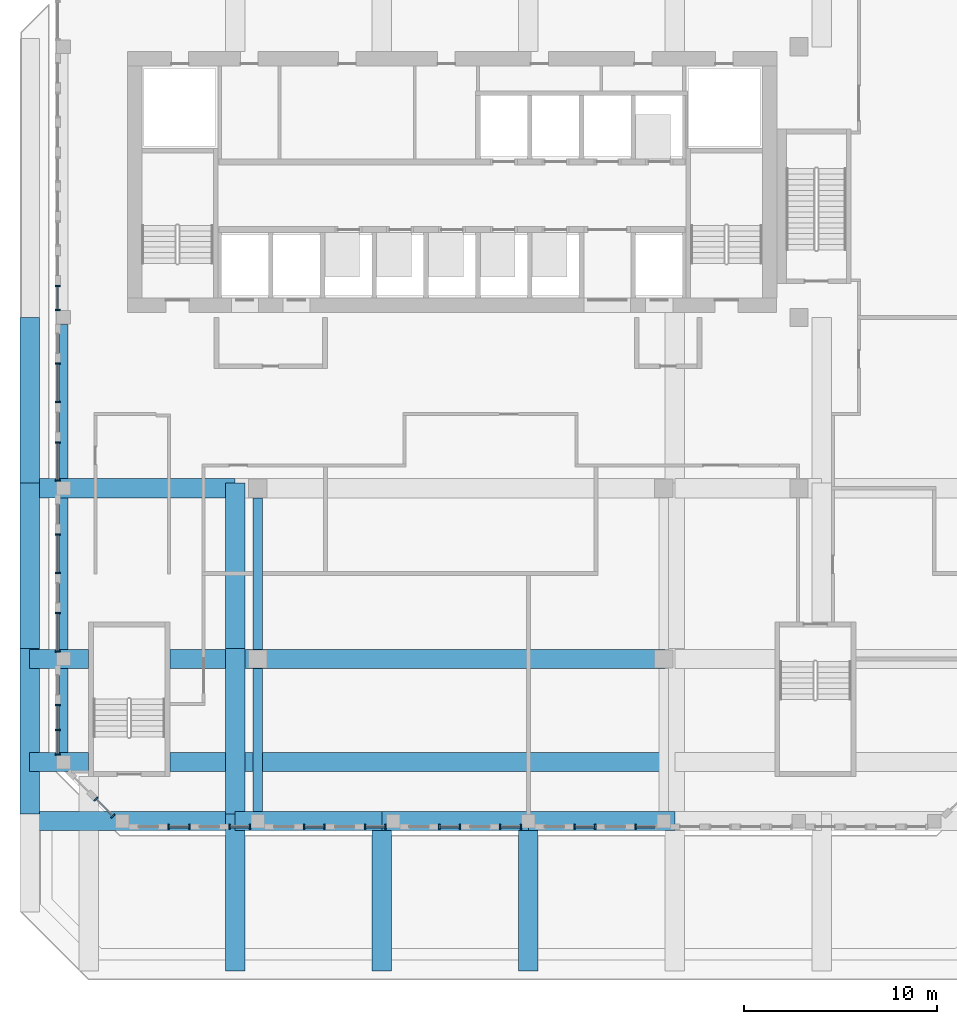
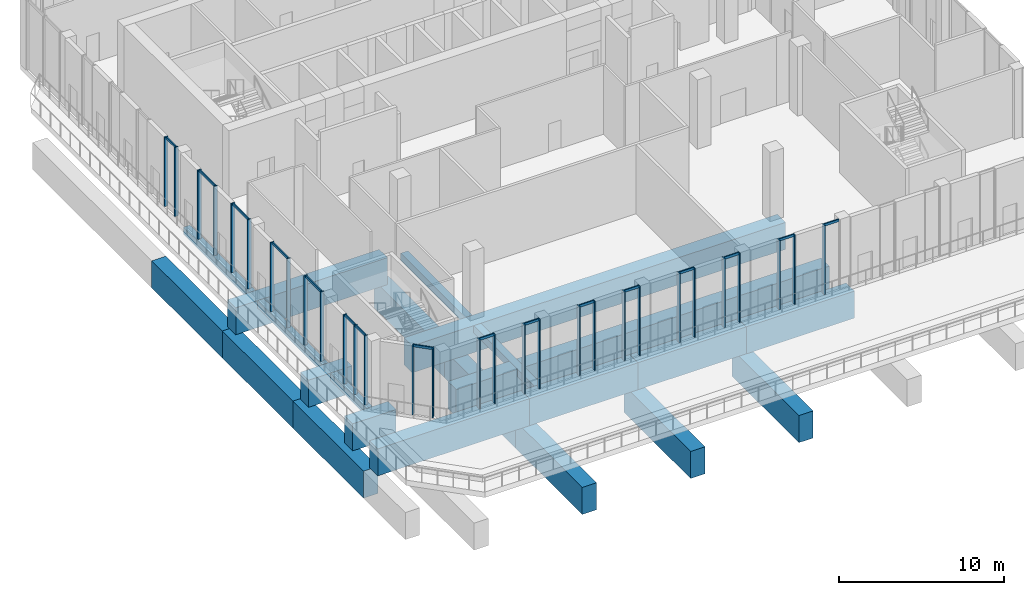
# One storey, part 2 of 18: 46 members, 22 beams, 15 elements without a shape of their own.
"""IFC4 building model written with IfcOpenShell, lengths in metres."""

from ifc_helpers import new_model, si_unit, direction, frame, origin, origin_2d, place, context, subcontext, project, spatial, rectangle, extrude, source, transform, mapped, material, material_profile, profile_set, type_object, element, aggregate, save


model = new_model("IFC4")

# Units and contexts
model_context = context("Model", 3, precision=1e-05, world=origin(), true_north=direction((0.0, 1.0)))
body_context = subcontext(model_context, "Body", "Model", "MODEL_VIEW")
ifc_project = project(units=[si_unit("LENGTHUNIT", "METRE"), si_unit("AREAUNIT", "SQUARE_METRE"), si_unit("VOLUMEUNIT", "CUBIC_METRE"), si_unit("PLANEANGLEUNIT", "RADIAN"), si_unit("MASSUNIT", "GRAM", prefix="KILO")], contexts=[model_context])

# Site, building, storey
site_placement = place(None, origin())
site = spatial("IfcSite", under=ifc_project, at=site_placement, CompositionType="ELEMENT")
building_placement = place(site_placement, origin())
building = spatial("IfcBuilding", under=site, at=building_placement, Name="Kilnfold Tower and Market Hall", CompositionType="ELEMENT")
storey_placement = place(building_placement, frame((0.0, 0.0, 233.60009765625)))
storey = spatial("IfcBuildingStorey", under=building, at=storey_placement, Name="L56", CompositionType="ELEMENT", Elevation=233.60009765625)

# Beams
ifc_material_1 = material(Name="Concrete C60", Category="concrete")
ifc_material_profile_1 = material_profile(ifc_material_1, rectangle(XDim=1.0, YDim=2.0, at=origin_2d()), Name="RC 1000x2000")
ifc_profile_set_1 = profile_set([ifc_material_profile_1], Name="Concrete C60")
beam_type_1 = type_object("IfcBeamType", Name="TRANSFER GIRDER 1000X2000 C60", PredefinedType="BEAM", material=ifc_profile_set_1)
shared_shape_1 = source(origin(), body_context, "Body", "SweptSolid", [
    extrude(rectangle(XDim=1.0, YDim=2.0, at=origin_2d()), origin(), (0.0, 0.0, 1.0), 8.5625),
])
for number, where, z_axis, x_axis, name in (
    (1, (-20.800048828125, -17.6875, -3.400146484375), (0.0, 1.0, 0.0), (-1.0, 0.0, 0.0), "Beam TG2000-B7.2"),
    (2, (-20.800048828125, -9.125, -3.400146484375), (0.0, 1.0, 0.0), (-1.0, 0.0, 0.0), "Beam TG2000-B7.3"),
    (3, (-20.800048828125, -0.5625, -3.400146484375), (0.0, 1.0, 0.0), (-1.0, 0.0, 0.0), "Beam TG2000-B7.4"),
    (4, (-10.169921875, -17.6875, -3.400146484375), (0.0, 1.0, 0.0), (-1.0, 0.0, 0.0), "Beam TG2000-B7.8"),
    (5, (-10.169921875, -9.125, -3.400146484375), (0.0, 1.0, 0.0), (-1.0, 0.0, 0.0), "Beam TG2000-B7.9"),
):
    element("IfcBeam", number, at=place(storey_placement, frame(where, z_axis=z_axis, x_axis=x_axis)), inside=storey, type_object=beam_type_1, Name=name, PredefinedType="BEAM", context=body_context, shape_type="MappedRepresentation", body=[
        mapped(shared_shape_1, transform((0.0, 0.0, 0.0))),
    ])
shared_shape_2 = source(origin(), body_context, "Body", "SweptSolid", [
    extrude(rectangle(XDim=1.0, YDim=2.0, at=origin_2d()), origin(), (0.0, 0.0, 1.0), 8.112548828125),
])
for number, where, z_axis, x_axis, name in (
    (6, (-10.169921875, -25.800048828125, -3.400146484375), (0.0, 1.0, 0.0), (-1.0, 0.0, 0.0), "Beam TG2000-B7.7"),
    (7, (-2.580078125, -25.800048828125, -3.400146484375), (0.0, 1.0, 0.0), (-1.0, 0.0, 0.0), "Beam TG2000-B7.11"),
    (8, (5.0, -25.800048828125, -3.400146484375), (0.0, 1.0, 0.0), (-1.0, 0.0, 0.0), "Beam TG2000-B7.13"),
):
    element("IfcBeam", number, at=place(storey_placement, frame(where, z_axis=z_axis, x_axis=x_axis)), inside=storey, type_object=beam_type_1, Name=name, PredefinedType="BEAM", context=body_context, shape_type="MappedRepresentation", body=[
        mapped(shared_shape_2, transform((0.0, 0.0, 0.0))),
    ])
shared_shape_3 = source(origin(), body_context, "Body", "SweptSolid", [
    extrude(rectangle(XDim=1.0, YDim=2.0, at=origin_2d()), origin(), (0.0, 0.0, 1.0), 10.630126953125),
])
for number, where, z_axis, x_axis, name in (
    (9, (-20.800048828125, -18.050048828125, -1.400146484375), (1.0, 0.0, 0.0), (0.0, 1.0, 0.0), "Beam TG2000-B7.29"),
    (10, (-20.800048828125, -0.830078125, -1.400146484375), (1.0, 0.0, 0.0), (0.0, 1.0, 0.0), "Beam TG2000-B7.32"),
):
    element("IfcBeam", number, at=place(storey_placement, frame(where, z_axis=z_axis, x_axis=x_axis)), inside=storey, type_object=beam_type_1, Name=name, PredefinedType="BEAM", context=body_context, shape_type="MappedRepresentation", body=[
        mapped(shared_shape_3, transform((0.0, 0.0, 0.0))),
    ])
shared_shape_4 = source(origin(), body_context, "Body", "SweptSolid", [
    extrude(rectangle(XDim=1.0, YDim=2.0, at=origin_2d()), origin(), (0.0, 0.0, 1.0), 3.050048828125),
])
for number, where, z_axis, x_axis, name in (
    (11, (-20.800048828125, -15.0, -1.400146484375), (1.0, 0.0, 0.0), (0.0, 1.0, 0.0), "Beam TG2000-B7.30"),
    (12, (-20.800048828125, -9.669921875, -1.400146484375), (1.0, 0.0, 0.0), (0.0, 1.0, 0.0), "Beam TG2000-B7.31"),
):
    element("IfcBeam", number, at=place(storey_placement, frame(where, z_axis=z_axis, x_axis=x_axis)), inside=storey, type_object=beam_type_1, Name=name, PredefinedType="BEAM", context=body_context, shape_type="MappedRepresentation", body=[
        mapped(shared_shape_4, transform((0.0, 0.0, 0.0))),
    ])
shared_shape_5 = source(origin(), body_context, "Body", "SweptSolid", [
    extrude(rectangle(XDim=1.0, YDim=2.0, at=origin_2d()), origin(), (0.0, 0.0, 1.0), 26.130126953125),
])
for number, where, z_axis, x_axis, name in (
    (13, (-13.550048828125, -15.0, -1.400146484375), (1.0, 0.0, 0.0), (0.0, 1.0, 0.0), "Beam TG2000-B7.33"),
    (14, (-13.550048828125, -9.669921875, -1.400146484375), (1.0, 0.0, 0.0), (0.0, 1.0, 0.0), "Beam TG2000-B7.34"),
):
    element("IfcBeam", number, at=place(storey_placement, frame(where, z_axis=z_axis, x_axis=x_axis)), inside=storey, type_object=beam_type_1, Name=name, PredefinedType="BEAM", context=body_context, shape_type="MappedRepresentation", body=[
        mapped(shared_shape_5, transform((0.0, 0.0, 0.0))),
    ])
shared_shape_6 = source(origin(), body_context, "Body", "SweptSolid", [
    extrude(rectangle(XDim=1.0, YDim=2.0, at=origin_2d()), origin(), (0.0, 0.0, 1.0), 7.58984375),
])
beam_1_placement = place(storey_placement, frame((-10.169921875, -18.050048828125, -1.400146484375), z_axis=(1.0, 0.0, 0.0), x_axis=(0.0, 1.0, 0.0)))
element("IfcBeam", 15, at=beam_1_placement, inside=storey, type_object=beam_type_1, Name="Beam TG2000-B7.35", PredefinedType="BEAM", context=body_context, shape_type="MappedRepresentation", body=[
    mapped(shared_shape_6, transform((0.0, 0.0, 0.0))),
])
shared_shape_7 = source(origin(), body_context, "Body", "SweptSolid", [
    extrude(rectangle(XDim=1.0, YDim=2.0, at=origin_2d()), origin(), (0.0, 0.0, 1.0), 7.580078125),
])
for number, where, z_axis, x_axis, name in (
    (16, (-2.580078125, -18.050048828125, -1.400146484375), (1.0, 0.0, 0.0), (0.0, 1.0, 0.0), "Beam TG2000-B7.37"),
    (17, (5.0, -18.050048828125, -1.400146484375), (1.0, 0.0, 0.0), (0.0, 1.0, 0.0), "Beam TG2000-B7.38"),
):
    element("IfcBeam", number, at=place(storey_placement, frame(where, z_axis=z_axis, x_axis=x_axis)), inside=storey, type_object=beam_type_1, Name=name, PredefinedType="BEAM", context=body_context, shape_type="MappedRepresentation", body=[
        mapped(shared_shape_7, transform((0.0, 0.0, 0.0))),
    ])
ifc_material_2 = material(Name="Concrete C45", Category="concrete")
ifc_material_profile_2 = material_profile(ifc_material_2, rectangle(XDim=0.449951171875, YDim=0.550048828125, at=origin_2d()), Name="RC 450x550")
ifc_profile_set_2 = profile_set([ifc_material_profile_2], Name="Concrete C45")
beam_type_2 = type_object("IfcBeamType", Name="EDGE BEAM 450X550 C45", PredefinedType="BEAM", material=ifc_profile_set_2)
shared_shape_8 = source(origin(), body_context, "Body", "SweptSolid", [
    extrude(rectangle(XDim=0.449951171875, YDim=0.550048828125, at=origin_2d()), origin(), (0.0, 0.0, 1.0), 4.330078125),
])
beam_2_placement = place(storey_placement, frame((-19.050048828125, -14.5, -0.675048828125), z_axis=(0.0, 1.0, 0.0), x_axis=(-1.0, 0.0, 0.0)))
element("IfcBeam", 18, at=beam_2_placement, inside=storey, type_object=beam_type_2, Name="Beam EB550-B7.47", PredefinedType="BEAM", context=body_context, shape_type="MappedRepresentation", body=[
    mapped(shared_shape_8, transform((0.0, 0.0, 0.0))),
])
shared_shape_9 = source(origin(), body_context, "Body", "SweptSolid", [
    extrude(rectangle(XDim=0.449951171875, YDim=0.550048828125, at=origin_2d()), origin(), (0.0, 0.0, 1.0), 7.83984375),
])
beam_3_placement = place(storey_placement, frame((-19.050048828125, -9.169921875, -0.675048828125), z_axis=(0.0, 1.0, 0.0), x_axis=(-1.0, 0.0, 0.0)))
element("IfcBeam", 19, at=beam_3_placement, inside=storey, type_object=beam_type_2, Name="Beam EB550-B7.48", PredefinedType="BEAM", context=body_context, shape_type="MappedRepresentation", body=[
    mapped(shared_shape_9, transform((0.0, 0.0, 0.0))),
])
shared_shape_10 = source(origin(), body_context, "Body", "SweptSolid", [
    extrude(rectangle(XDim=0.449951171875, YDim=0.550048828125, at=origin_2d()), origin(), (0.0, 0.0, 1.0), 7.97998046875),
])
beam_4_placement = place(storey_placement, frame((-19.050048828125, -0.330078125, -0.675048828125), z_axis=(0.0, 1.0, 0.0), x_axis=(-1.0, 0.0, 0.0)))
element("IfcBeam", 20, at=beam_4_placement, inside=storey, type_object=beam_type_2, Name="Beam EB550-B7.49", PredefinedType="BEAM", context=body_context, shape_type="MappedRepresentation", body=[
    mapped(shared_shape_10, transform((0.0, 0.0, 0.0))),
])
ifc_material_3 = material(Name="Concrete C45", Category="concrete")
ifc_material_profile_3 = material_profile(ifc_material_3, rectangle(XDim=0.5, YDim=0.550048828125, at=origin_2d()), Name="RC 500x550")
ifc_profile_set_3 = profile_set([ifc_material_profile_3], Name="Concrete C45")
beam_type_3 = type_object("IfcBeamType", Name="BEAM 500X550 C45", PredefinedType="BEAM", material=ifc_profile_set_3)
shared_shape_11 = source(origin(), body_context, "Body", "SweptSolid", [
    extrude(rectangle(XDim=0.5, YDim=0.550048828125, at=origin_2d()), origin(), (0.0, 0.0, 1.0), 7.380126953125),
])
beam_5_placement = place(storey_placement, frame((-9.0, -17.550048828125, -0.675048828125), z_axis=(0.0, 1.0, 0.0), x_axis=(-1.0, 0.0, 0.0)))
element("IfcBeam", 21, at=beam_5_placement, inside=storey, type_object=beam_type_3, Name="Beam BB550-B7.51", PredefinedType="BEAM", context=body_context, shape_type="MappedRepresentation", body=[
    mapped(shared_shape_11, transform((0.0, 0.0, 0.0))),
])
shared_shape_12 = source(origin(), body_context, "Body", "SweptSolid", [
    extrude(rectangle(XDim=0.5, YDim=0.550048828125, at=origin_2d()), origin(), (0.0, 0.0, 1.0), 7.83984375),
])
beam_6_placement = place(storey_placement, frame((-9.0, -9.169921875, -0.675048828125), z_axis=(0.0, 1.0, 0.0), x_axis=(-1.0, 0.0, 0.0)))
element("IfcBeam", 22, at=beam_6_placement, inside=storey, type_object=beam_type_3, Name="Beam BB550-B7.52", PredefinedType="BEAM", context=body_context, shape_type="MappedRepresentation", body=[
    mapped(shared_shape_12, transform((0.0, 0.0, 0.0))),
])

# Curtain wall, members
ifc_material_4 = material(Name="Aluminium and double glazing", Category="aluminium")
curtain_wall_type = type_object("IfcCurtainWallType", Name="CW SKY LOBBY GLAZING", PredefinedType="NOTDEFINED", material=ifc_material_4)
curtain_wall_1_placement = place(storey_placement, origin())
curtain_wall_1 = element("IfcCurtainWall", 23, at=curtain_wall_1_placement, inside=storey, type_object=curtain_wall_type, Name="Curtain wall CW3 L56 S", PredefinedType="NOTDEFINED")
ifc_material_5 = material(Name="Aluminium", Category="aluminium")
ifc_material_profile_4 = material_profile(ifc_material_5, rectangle(XDim=0.080078125, YDim=0.25, at=origin_2d()), Name="MULLION 80x250")
ifc_profile_set_4 = profile_set([ifc_material_profile_4], Name="Aluminium")
member_type_1 = type_object("IfcMemberType", Name="MULLION 80X250", PredefinedType="MULLION", material=ifc_profile_set_4)
shared_shape_13 = source(origin(), body_context, "Body", "SweptSolid", [
    extrude(rectangle(XDim=0.080078125, YDim=0.25, at=origin_2d()), origin(), (0.0, 0.0, 1.0), 5.119873046875),
])
member_1_placement = place(storey_placement, frame((-13.610107421875, -18.35009765625, 0.0), z_axis=(0.0, 0.0, 1.0), x_axis=(1.0, 0.0, 0.0)))
member_1 = element("IfcMember", 24, at=member_1_placement, type_object=member_type_1, Name="CW3 mullion 1", PredefinedType="MULLION", context=body_context, shape_type="MappedRepresentation", body=[
    mapped(shared_shape_13, transform((0.0, 0.0, 0.0))),
])
member_2_placement = place(storey_placement, frame((-12.5400390625, -18.35009765625, 0.0), z_axis=(0.0, 0.0, 1.0), x_axis=(1.0, 0.0, 0.0)))
member_2 = element("IfcMember", 25, at=member_2_placement, type_object=member_type_1, Name="CW3 mullion 2", PredefinedType="MULLION", context=body_context, shape_type="MappedRepresentation", body=[
    mapped(shared_shape_13, transform((0.0, 0.0, 0.0))),
])

curtain_wall_2_placement = place(storey_placement, origin())
curtain_wall_2 = element("IfcCurtainWall", 26, at=curtain_wall_2_placement, inside=storey, type_object=curtain_wall_type, Name="Curtain wall CW3 L56 S", PredefinedType="NOTDEFINED")
member_3_placement = place(storey_placement, frame((-10.4599609375, -18.35009765625, 0.0), z_axis=(0.0, 0.0, 1.0), x_axis=(1.0, 0.0, 0.0)))
member_3 = element("IfcMember", 27, at=member_3_placement, type_object=member_type_1, Name="CW3 mullion 1", PredefinedType="MULLION", context=body_context, shape_type="MappedRepresentation", body=[
    mapped(shared_shape_13, transform((0.0, 0.0, 0.0))),
])
member_4_placement = place(storey_placement, frame((-9.389892578125, -18.35009765625, 0.0), z_axis=(0.0, 0.0, 1.0), x_axis=(1.0, 0.0, 0.0)))
member_4 = element("IfcMember", 28, at=member_4_placement, type_object=member_type_1, Name="CW3 mullion 2", PredefinedType="MULLION", context=body_context, shape_type="MappedRepresentation", body=[
    mapped(shared_shape_13, transform((0.0, 0.0, 0.0))),
])

curtain_wall_3_placement = place(storey_placement, origin())
curtain_wall_3 = element("IfcCurtainWall", 29, at=curtain_wall_3_placement, inside=storey, type_object=curtain_wall_type, Name="Curtain wall CW3 L56 S", PredefinedType="NOTDEFINED")
member_5_placement = place(storey_placement, frame((-6.610107421875, -18.35009765625, 0.0), z_axis=(0.0, 0.0, 1.0), x_axis=(1.0, 0.0, 0.0)))
member_5 = element("IfcMember", 30, at=member_5_placement, type_object=member_type_1, Name="CW3 mullion 1", PredefinedType="MULLION", context=body_context, shape_type="MappedRepresentation", body=[
    mapped(shared_shape_13, transform((0.0, 0.0, 0.0))),
])
member_6_placement = place(storey_placement, frame((-5.5400390625, -18.35009765625, 0.0), z_axis=(0.0, 0.0, 1.0), x_axis=(1.0, 0.0, 0.0)))
member_6 = element("IfcMember", 31, at=member_6_placement, type_object=member_type_1, Name="CW3 mullion 2", PredefinedType="MULLION", context=body_context, shape_type="MappedRepresentation", body=[
    mapped(shared_shape_13, transform((0.0, 0.0, 0.0))),
])

curtain_wall_4_placement = place(storey_placement, origin())
curtain_wall_4 = element("IfcCurtainWall", 32, at=curtain_wall_4_placement, inside=storey, type_object=curtain_wall_type, Name="Curtain wall CW3 L56 S", PredefinedType="NOTDEFINED")
member_7_placement = place(storey_placement, frame((-3.4599609375, -18.35009765625, 0.0), z_axis=(0.0, 0.0, 1.0), x_axis=(1.0, 0.0, 0.0)))
member_7 = element("IfcMember", 33, at=member_7_placement, type_object=member_type_1, Name="CW3 mullion 1", PredefinedType="MULLION", context=body_context, shape_type="MappedRepresentation", body=[
    mapped(shared_shape_13, transform((0.0, 0.0, 0.0))),
])
member_8_placement = place(storey_placement, frame((-2.389892578125, -18.35009765625, 0.0), z_axis=(0.0, 0.0, 1.0), x_axis=(1.0, 0.0, 0.0)))
member_8 = element("IfcMember", 34, at=member_8_placement, type_object=member_type_1, Name="CW3 mullion 2", PredefinedType="MULLION", context=body_context, shape_type="MappedRepresentation", body=[
    mapped(shared_shape_13, transform((0.0, 0.0, 0.0))),
])

curtain_wall_5_placement = place(storey_placement, origin())
curtain_wall_5 = element("IfcCurtainWall", 35, at=curtain_wall_5_placement, inside=storey, type_object=curtain_wall_type, Name="Curtain wall CW3 L56 S", PredefinedType="NOTDEFINED")
member_9_placement = place(storey_placement, frame((0.389892578125, -18.35009765625, 0.0), z_axis=(0.0, 0.0, 1.0), x_axis=(1.0, 0.0, 0.0)))
member_9 = element("IfcMember", 36, at=member_9_placement, type_object=member_type_1, Name="CW3 mullion 1", PredefinedType="MULLION", context=body_context, shape_type="MappedRepresentation", body=[
    mapped(shared_shape_13, transform((0.0, 0.0, 0.0))),
])
member_10_placement = place(storey_placement, frame((1.4599609375, -18.35009765625, 0.0), z_axis=(0.0, 0.0, 1.0), x_axis=(1.0, 0.0, 0.0)))
member_10 = element("IfcMember", 37, at=member_10_placement, type_object=member_type_1, Name="CW3 mullion 2", PredefinedType="MULLION", context=body_context, shape_type="MappedRepresentation", body=[
    mapped(shared_shape_13, transform((0.0, 0.0, 0.0))),
])

curtain_wall_6_placement = place(storey_placement, origin())
curtain_wall_6 = element("IfcCurtainWall", 38, at=curtain_wall_6_placement, inside=storey, type_object=curtain_wall_type, Name="Curtain wall CW3 L56 S", PredefinedType="NOTDEFINED")
member_11_placement = place(storey_placement, frame((3.5400390625, -18.35009765625, 0.0), z_axis=(0.0, 0.0, 1.0), x_axis=(1.0, 0.0, 0.0)))
member_11 = element("IfcMember", 39, at=member_11_placement, type_object=member_type_1, Name="CW3 mullion 1", PredefinedType="MULLION", context=body_context, shape_type="MappedRepresentation", body=[
    mapped(shared_shape_13, transform((0.0, 0.0, 0.0))),
])
member_12_placement = place(storey_placement, frame((4.610107421875, -18.35009765625, 0.0), z_axis=(0.0, 0.0, 1.0), x_axis=(1.0, 0.0, 0.0)))
member_12 = element("IfcMember", 40, at=member_12_placement, type_object=member_type_1, Name="CW3 mullion 2", PredefinedType="MULLION", context=body_context, shape_type="MappedRepresentation", body=[
    mapped(shared_shape_13, transform((0.0, 0.0, 0.0))),
])

curtain_wall_7_placement = place(storey_placement, origin())
curtain_wall_7 = element("IfcCurtainWall", 41, at=curtain_wall_7_placement, inside=storey, type_object=curtain_wall_type, Name="Curtain wall CW3 L56 S", PredefinedType="NOTDEFINED")
member_13_placement = place(storey_placement, frame((7.389892578125, -18.35009765625, 0.0), z_axis=(0.0, 0.0, 1.0), x_axis=(1.0, 0.0, 0.0)))
member_13 = element("IfcMember", 42, at=member_13_placement, type_object=member_type_1, Name="CW3 mullion 1", PredefinedType="MULLION", context=body_context, shape_type="MappedRepresentation", body=[
    mapped(shared_shape_13, transform((0.0, 0.0, 0.0))),
])
member_14_placement = place(storey_placement, frame((8.4599609375, -18.35009765625, 0.0), z_axis=(0.0, 0.0, 1.0), x_axis=(1.0, 0.0, 0.0)))
member_14 = element("IfcMember", 43, at=member_14_placement, type_object=member_type_1, Name="CW3 mullion 2", PredefinedType="MULLION", context=body_context, shape_type="MappedRepresentation", body=[
    mapped(shared_shape_13, transform((0.0, 0.0, 0.0))),
])

# Curtain wall, member
curtain_wall_8_placement = place(storey_placement, origin())
curtain_wall_8 = element("IfcCurtainWall", 44, at=curtain_wall_8_placement, inside=storey, type_object=curtain_wall_type, Name="Curtain wall CW3 L56 S", PredefinedType="NOTDEFINED")
member_15_placement = place(storey_placement, frame((10.5400390625, -18.35009765625, 0.0), z_axis=(0.0, 0.0, 1.0), x_axis=(1.0, 0.0, 0.0)))
member_15 = element("IfcMember", 45, at=member_15_placement, type_object=member_type_1, Name="CW3 mullion 1", PredefinedType="MULLION", context=body_context, shape_type="MappedRepresentation", body=[
    mapped(shared_shape_13, transform((0.0, 0.0, 0.0))),
])

# Curtain wall, members
curtain_wall_9_placement = place(storey_placement, origin())
curtain_wall_9 = element("IfcCurtainWall", 46, at=curtain_wall_9_placement, inside=storey, type_object=curtain_wall_type, Name="Curtain wall CW3 L56 W", PredefinedType="NOTDEFINED")
member_16_placement = place(storey_placement, frame((-19.35009765625, 9.635009765625, 0.0), z_axis=(0.0, 0.0, 1.0), x_axis=(0.0, -1.0, 0.0)))
member_16 = element("IfcMember", 47, at=member_16_placement, type_object=member_type_1, Name="CW3 mullion 1", PredefinedType="MULLION", context=body_context, shape_type="MappedRepresentation", body=[
    mapped(shared_shape_13, transform((0.0, 0.0, 0.0))),
])
member_17_placement = place(storey_placement, frame((-19.35009765625, 8.389892578125, 0.0), z_axis=(0.0, 0.0, 1.0), x_axis=(0.0, -1.0, 0.0)))
member_17 = element("IfcMember", 48, at=member_17_placement, type_object=member_type_1, Name="CW3 mullion 2", PredefinedType="MULLION", context=body_context, shape_type="MappedRepresentation", body=[
    mapped(shared_shape_13, transform((0.0, 0.0, 0.0))),
])

curtain_wall_10_placement = place(storey_placement, origin())
curtain_wall_10 = element("IfcCurtainWall", 49, at=curtain_wall_10_placement, inside=storey, type_object=curtain_wall_type, Name="Curtain wall CW3 L56 W", PredefinedType="NOTDEFINED")
member_18_placement = place(storey_placement, frame((-19.35009765625, 5.610107421875, 0.0), z_axis=(0.0, 0.0, 1.0), x_axis=(0.0, -1.0, 0.0)))
member_18 = element("IfcMember", 50, at=member_18_placement, type_object=member_type_1, Name="CW3 mullion 1", PredefinedType="MULLION", context=body_context, shape_type="MappedRepresentation", body=[
    mapped(shared_shape_13, transform((0.0, 0.0, 0.0))),
])
member_19_placement = place(storey_placement, frame((-19.35009765625, 3.623291015625, 0.0), z_axis=(0.0, 0.0, 1.0), x_axis=(0.0, -1.0, 0.0)))
member_19 = element("IfcMember", 51, at=member_19_placement, type_object=member_type_1, Name="CW3 mullion 2", PredefinedType="MULLION", context=body_context, shape_type="MappedRepresentation", body=[
    mapped(shared_shape_13, transform((0.0, 0.0, 0.0))),
])

curtain_wall_11_placement = place(storey_placement, origin())
curtain_wall_11 = element("IfcCurtainWall", 52, at=curtain_wall_11_placement, inside=storey, type_object=curtain_wall_type, Name="Curtain wall CW3 L56 W", PredefinedType="NOTDEFINED")
member_20_placement = place(storey_placement, frame((-19.35009765625, 1.543212890625, 0.0), z_axis=(0.0, 0.0, 1.0), x_axis=(0.0, -1.0, 0.0)))
member_20 = element("IfcMember", 53, at=member_20_placement, type_object=member_type_1, Name="CW3 mullion 1", PredefinedType="MULLION", context=body_context, shape_type="MappedRepresentation", body=[
    mapped(shared_shape_13, transform((0.0, 0.0, 0.0))),
])
member_21_placement = place(storey_placement, frame((-19.35009765625, -0.443359375, 0.0), z_axis=(0.0, 0.0, 1.0), x_axis=(0.0, -1.0, 0.0)))
member_21 = element("IfcMember", 54, at=member_21_placement, type_object=member_type_1, Name="CW3 mullion 2", PredefinedType="MULLION", context=body_context, shape_type="MappedRepresentation", body=[
    mapped(shared_shape_13, transform((0.0, 0.0, 0.0))),
])

curtain_wall_12_placement = place(storey_placement, origin())
curtain_wall_12 = element("IfcCurtainWall", 55, at=curtain_wall_12_placement, inside=storey, type_object=curtain_wall_type, Name="Curtain wall CW3 L56 W", PredefinedType="NOTDEFINED")
member_22_placement = place(storey_placement, frame((-19.35009765625, -3.223388671875, 0.0), z_axis=(0.0, 0.0, 1.0), x_axis=(0.0, -1.0, 0.0)))
member_22 = element("IfcMember", 56, at=member_22_placement, type_object=member_type_1, Name="CW3 mullion 1", PredefinedType="MULLION", context=body_context, shape_type="MappedRepresentation", body=[
    mapped(shared_shape_13, transform((0.0, 0.0, 0.0))),
])
member_23_placement = place(storey_placement, frame((-19.35009765625, -5.2099609375, 0.0), z_axis=(0.0, 0.0, 1.0), x_axis=(0.0, -1.0, 0.0)))
member_23 = element("IfcMember", 57, at=member_23_placement, type_object=member_type_1, Name="CW3 mullion 2", PredefinedType="MULLION", context=body_context, shape_type="MappedRepresentation", body=[
    mapped(shared_shape_13, transform((0.0, 0.0, 0.0))),
])

curtain_wall_13_placement = place(storey_placement, origin())
curtain_wall_13 = element("IfcCurtainWall", 58, at=curtain_wall_13_placement, inside=storey, type_object=curtain_wall_type, Name="Curtain wall CW3 L56 W", PredefinedType="NOTDEFINED")
member_24_placement = place(storey_placement, frame((-19.35009765625, -7.2900390625, 0.0), z_axis=(0.0, 0.0, 1.0), x_axis=(0.0, -1.0, 0.0)))
member_24 = element("IfcMember", 59, at=member_24_placement, type_object=member_type_1, Name="CW3 mullion 1", PredefinedType="MULLION", context=body_context, shape_type="MappedRepresentation", body=[
    mapped(shared_shape_13, transform((0.0, 0.0, 0.0))),
])
member_25_placement = place(storey_placement, frame((-19.35009765625, -9.276611328125, 0.0), z_axis=(0.0, 0.0, 1.0), x_axis=(0.0, -1.0, 0.0)))
member_25 = element("IfcMember", 60, at=member_25_placement, type_object=member_type_1, Name="CW3 mullion 2", PredefinedType="MULLION", context=body_context, shape_type="MappedRepresentation", body=[
    mapped(shared_shape_13, transform((0.0, 0.0, 0.0))),
])

curtain_wall_14_placement = place(storey_placement, origin())
curtain_wall_14 = element("IfcCurtainWall", 61, at=curtain_wall_14_placement, inside=storey, type_object=curtain_wall_type, Name="Curtain wall CW3 L56 W", PredefinedType="NOTDEFINED")
member_26_placement = place(storey_placement, frame((-19.35009765625, -12.056640625, 0.0), z_axis=(0.0, 0.0, 1.0), x_axis=(0.0, -1.0, 0.0)))
member_26 = element("IfcMember", 62, at=member_26_placement, type_object=member_type_1, Name="CW3 mullion 1", PredefinedType="MULLION", context=body_context, shape_type="MappedRepresentation", body=[
    mapped(shared_shape_13, transform((0.0, 0.0, 0.0))),
])
member_27_placement = place(storey_placement, frame((-19.35009765625, -13.333251953125, 0.0), z_axis=(0.0, 0.0, 1.0), x_axis=(0.0, -1.0, 0.0)))
member_27 = element("IfcMember", 63, at=member_27_placement, type_object=member_type_1, Name="CW3 mullion 2", PredefinedType="MULLION", context=body_context, shape_type="MappedRepresentation", body=[
    mapped(shared_shape_13, transform((0.0, 0.0, 0.0))),
])
member_28_placement = place(storey_placement, frame((-19.35009765625, -14.610107421875, 0.0), z_axis=(0.0, 0.0, 1.0), x_axis=(0.0, -1.0, 0.0)))
member_28 = element("IfcMember", 64, at=member_28_placement, type_object=member_type_1, Name="CW3 mullion 3", PredefinedType="MULLION", context=body_context, shape_type="MappedRepresentation", body=[
    mapped(shared_shape_13, transform((0.0, 0.0, 0.0))),
])

curtain_wall_15_placement = place(storey_placement, origin())
curtain_wall_15 = element("IfcCurtainWall", 65, at=curtain_wall_15_placement, inside=storey, type_object=curtain_wall_type, Name="Curtain wall CW3 L56 SW", PredefinedType="NOTDEFINED")
member_29_placement = place(storey_placement, frame((-17.37646484375, -16.911376953125, 0.0), z_axis=(0.0, 0.0, 1.0), x_axis=(0.707106781187, -0.707106781187, 0.0)))
member_29 = element("IfcMember", 66, at=member_29_placement, type_object=member_type_1, Name="CW3 mullion 1", PredefinedType="MULLION", context=body_context, shape_type="MappedRepresentation", body=[
    mapped(shared_shape_13, transform((0.0, 0.0, 0.0))),
])
member_30_placement = place(storey_placement, frame((-16.4970703125, -17.790771484375, 0.0), z_axis=(0.0, 0.0, 1.0), x_axis=(0.707106781187, -0.707106781187, 0.0)))
member_30 = element("IfcMember", 67, at=member_30_placement, type_object=member_type_1, Name="CW3 mullion 2", PredefinedType="MULLION", context=body_context, shape_type="MappedRepresentation", body=[
    mapped(shared_shape_13, transform((0.0, 0.0, 0.0))),
])

# Member
ifc_material_6 = material(Name="Aluminium", Category="aluminium")
ifc_material_profile_5 = material_profile(ifc_material_6, rectangle(XDim=0.080078125, YDim=0.179931640625, at=origin_2d()), Name="TRANSOM 80x180")
ifc_profile_set_5 = profile_set([ifc_material_profile_5], Name="Aluminium")
member_type_2 = type_object("IfcMemberType", Name="TRANSOM 80X180", PredefinedType="USERDEFINED", material=ifc_profile_set_5)
shared_shape_14 = source(origin(), body_context, "Body", "SweptSolid", [
    extrude(rectangle(XDim=0.080078125, YDim=0.179931640625, at=origin_2d()), origin(), (0.0, 0.0, 1.0), 0.989990234375),
])
member_31_placement = place(storey_placement, frame((-13.570068359375, -18.35009765625, 5.079833984375), z_axis=(1.0, 0.0, 0.0), x_axis=(0.0, 1.0, 0.0)))
member_31 = element("IfcMember", 68, at=member_31_placement, type_object=member_type_2, Name="CW3 transom 1.2", ObjectType="TRANSOM", PredefinedType="USERDEFINED", context=body_context, shape_type="MappedRepresentation", body=[
    mapped(shared_shape_14, transform((0.0, 0.0, 0.0))),
])

aggregate(curtain_wall_1, [member_1, member_2, member_31])

member_32_placement = place(storey_placement, frame((-10.419921875, -18.35009765625, 5.079833984375), z_axis=(1.0, 0.0, 0.0), x_axis=(0.0, 1.0, 0.0)))
member_32 = element("IfcMember", 69, at=member_32_placement, type_object=member_type_2, Name="CW3 transom 1.2", ObjectType="TRANSOM", PredefinedType="USERDEFINED", context=body_context, shape_type="MappedRepresentation", body=[
    mapped(shared_shape_14, transform((0.0, 0.0, 0.0))),
])

aggregate(curtain_wall_2, [member_3, member_4, member_32])

member_33_placement = place(storey_placement, frame((-6.570068359375, -18.35009765625, 5.079833984375), z_axis=(1.0, 0.0, 0.0), x_axis=(0.0, 1.0, 0.0)))
member_33 = element("IfcMember", 70, at=member_33_placement, type_object=member_type_2, Name="CW3 transom 1.2", ObjectType="TRANSOM", PredefinedType="USERDEFINED", context=body_context, shape_type="MappedRepresentation", body=[
    mapped(shared_shape_14, transform((0.0, 0.0, 0.0))),
])

aggregate(curtain_wall_3, [member_5, member_6, member_33])

member_34_placement = place(storey_placement, frame((-3.419921875, -18.35009765625, 5.079833984375), z_axis=(1.0, 0.0, 0.0), x_axis=(0.0, 1.0, 0.0)))
member_34 = element("IfcMember", 71, at=member_34_placement, type_object=member_type_2, Name="CW3 transom 1.2", ObjectType="TRANSOM", PredefinedType="USERDEFINED", context=body_context, shape_type="MappedRepresentation", body=[
    mapped(shared_shape_14, transform((0.0, 0.0, 0.0))),
])

aggregate(curtain_wall_4, [member_7, member_8, member_34])

member_35_placement = place(storey_placement, frame((0.429931640625, -18.35009765625, 5.079833984375), z_axis=(1.0, 0.0, 0.0), x_axis=(0.0, 1.0, 0.0)))
member_35 = element("IfcMember", 72, at=member_35_placement, type_object=member_type_2, Name="CW3 transom 1.2", ObjectType="TRANSOM", PredefinedType="USERDEFINED", context=body_context, shape_type="MappedRepresentation", body=[
    mapped(shared_shape_14, transform((0.0, 0.0, 0.0))),
])

aggregate(curtain_wall_5, [member_9, member_10, member_35])

member_36_placement = place(storey_placement, frame((3.580078125, -18.35009765625, 5.079833984375), z_axis=(1.0, 0.0, 0.0), x_axis=(0.0, 1.0, 0.0)))
member_36 = element("IfcMember", 73, at=member_36_placement, type_object=member_type_2, Name="CW3 transom 1.2", ObjectType="TRANSOM", PredefinedType="USERDEFINED", context=body_context, shape_type="MappedRepresentation", body=[
    mapped(shared_shape_14, transform((0.0, 0.0, 0.0))),
])

aggregate(curtain_wall_6, [member_11, member_12, member_36])

member_37_placement = place(storey_placement, frame((7.429931640625, -18.35009765625, 5.079833984375), z_axis=(1.0, 0.0, 0.0), x_axis=(0.0, 1.0, 0.0)))
member_37 = element("IfcMember", 74, at=member_37_placement, type_object=member_type_2, Name="CW3 transom 1.2", ObjectType="TRANSOM", PredefinedType="USERDEFINED", context=body_context, shape_type="MappedRepresentation", body=[
    mapped(shared_shape_14, transform((0.0, 0.0, 0.0))),
])

aggregate(curtain_wall_7, [member_13, member_14, member_37])

member_38_placement = place(storey_placement, frame((10.580078125, -18.35009765625, 5.079833984375), z_axis=(1.0, 0.0, 0.0), x_axis=(0.0, 1.0, 0.0)))
member_38 = element("IfcMember", 75, at=member_38_placement, type_object=member_type_2, Name="CW3 transom 1.2", ObjectType="TRANSOM", PredefinedType="USERDEFINED", context=body_context, shape_type="MappedRepresentation", body=[
    mapped(shared_shape_14, transform((0.0, 0.0, 0.0))),
])

aggregate(curtain_wall_8, [member_15, member_38])

shared_shape_15 = source(origin(), body_context, "Body", "SweptSolid", [
    extrude(rectangle(XDim=0.080078125, YDim=0.179931640625, at=origin_2d()), origin(), (0.0, 0.0, 1.0), 1.90673828125),
])
member_39_placement = place(storey_placement, frame((-19.35009765625, 5.570068359375, 5.079833984375), z_axis=(0.0, -1.0, 0.0), x_axis=(1.0, 0.0, 0.0)))
member_39 = element("IfcMember", 76, at=member_39_placement, type_object=member_type_2, Name="CW3 transom 1.2", ObjectType="TRANSOM", PredefinedType="USERDEFINED", context=body_context, shape_type="MappedRepresentation", body=[
    mapped(shared_shape_15, transform((0.0, 0.0, 0.0))),
])

aggregate(curtain_wall_10, [member_18, member_19, member_39])

member_40_placement = place(storey_placement, frame((-19.35009765625, 1.50341796875, 5.079833984375), z_axis=(0.0, -1.0, 0.0), x_axis=(1.0, 0.0, 0.0)))
member_40 = element("IfcMember", 77, at=member_40_placement, type_object=member_type_2, Name="CW3 transom 1.2", ObjectType="TRANSOM", PredefinedType="USERDEFINED", context=body_context, shape_type="MappedRepresentation", body=[
    mapped(shared_shape_15, transform((0.0, 0.0, 0.0))),
])

aggregate(curtain_wall_11, [member_20, member_21, member_40])

member_41_placement = place(storey_placement, frame((-19.35009765625, -3.26318359375, 5.079833984375), z_axis=(0.0, -1.0, 0.0), x_axis=(1.0, 0.0, 0.0)))
member_41 = element("IfcMember", 78, at=member_41_placement, type_object=member_type_2, Name="CW3 transom 1.2", ObjectType="TRANSOM", PredefinedType="USERDEFINED", context=body_context, shape_type="MappedRepresentation", body=[
    mapped(shared_shape_15, transform((0.0, 0.0, 0.0))),
])

aggregate(curtain_wall_12, [member_22, member_23, member_41])

member_42_placement = place(storey_placement, frame((-19.35009765625, -7.330078125, 5.079833984375), z_axis=(0.0, -1.0, 0.0), x_axis=(1.0, 0.0, 0.0)))
member_42 = element("IfcMember", 79, at=member_42_placement, type_object=member_type_2, Name="CW3 transom 1.2", ObjectType="TRANSOM", PredefinedType="USERDEFINED", context=body_context, shape_type="MappedRepresentation", body=[
    mapped(shared_shape_15, transform((0.0, 0.0, 0.0))),
])

aggregate(curtain_wall_13, [member_24, member_25, member_42])

shared_shape_16 = source(origin(), body_context, "Body", "SweptSolid", [
    extrude(rectangle(XDim=0.080078125, YDim=0.179931640625, at=origin_2d()), origin(), (0.0, 0.0, 1.0), 1.1650390625),
])
member_43_placement = place(storey_placement, frame((-19.35009765625, 9.594970703125, 5.079833984375), z_axis=(0.0, -1.0, 0.0), x_axis=(1.0, 0.0, 0.0)))
member_43 = element("IfcMember", 80, at=member_43_placement, type_object=member_type_2, Name="CW3 transom 1.2", ObjectType="TRANSOM", PredefinedType="USERDEFINED", context=body_context, shape_type="MappedRepresentation", body=[
    mapped(shared_shape_16, transform((0.0, 0.0, 0.0))),
])

aggregate(curtain_wall_9, [member_16, member_17, member_43])

shared_shape_17 = source(origin(), body_context, "Body", "SweptSolid", [
    extrude(rectangle(XDim=0.080078125, YDim=0.179931640625, at=origin_2d()), origin(), (0.0, 0.0, 1.0), 1.19677734375),
])
member_44_placement = place(storey_placement, frame((-19.35009765625, -12.0966796875, 5.079833984375), z_axis=(0.0, -1.0, 0.0), x_axis=(1.0, 0.0, 0.0)))
member_44 = element("IfcMember", 81, at=member_44_placement, type_object=member_type_2, Name="CW3 transom 1.2", ObjectType="TRANSOM", PredefinedType="USERDEFINED", context=body_context, shape_type="MappedRepresentation", body=[
    mapped(shared_shape_17, transform((0.0, 0.0, 0.0))),
])

member_45_placement = place(storey_placement, frame((-19.35009765625, -13.373291015625, 5.079833984375), z_axis=(0.0, -1.0, 0.0), x_axis=(1.0, 0.0, 0.0)))
member_45 = element("IfcMember", 82, at=member_45_placement, type_object=member_type_2, Name="CW3 transom 2.2", ObjectType="TRANSOM", PredefinedType="USERDEFINED", context=body_context, shape_type="MappedRepresentation", body=[
    mapped(shared_shape_17, transform((0.0, 0.0, 0.0))),
])

aggregate(curtain_wall_14, [member_26, member_27, member_28, member_44, member_45])

shared_shape_18 = source(origin(), body_context, "Body", "SweptSolid", [
    extrude(rectangle(XDim=0.080078125, YDim=0.179931640625, at=origin_2d()), origin(), (0.0, 0.0, 1.0), 1.16357421875),
])
member_46_placement = place(storey_placement, frame((-17.34814453125, -16.939697265625, 5.079833984375), z_axis=(0.707106781187, -0.707106781187, 0.0), x_axis=(0.707106781187, 0.707106781187, 0.0)))
member_46 = element("IfcMember", 83, at=member_46_placement, type_object=member_type_2, Name="CW3 transom 1.2", ObjectType="TRANSOM", PredefinedType="USERDEFINED", context=body_context, shape_type="MappedRepresentation", body=[
    mapped(shared_shape_18, transform((0.0, 0.0, 0.0))),
])

aggregate(curtain_wall_15, [member_29, member_30, member_46])

save(model, "model.ifc")
